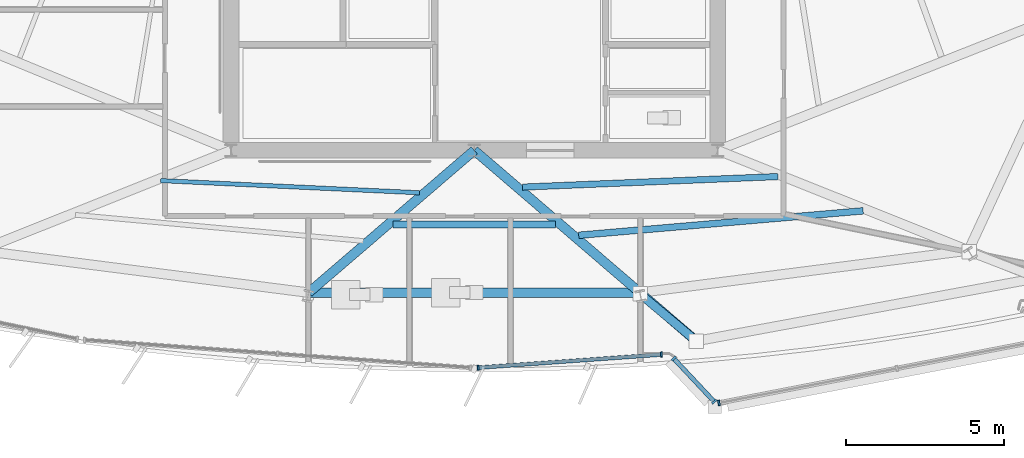
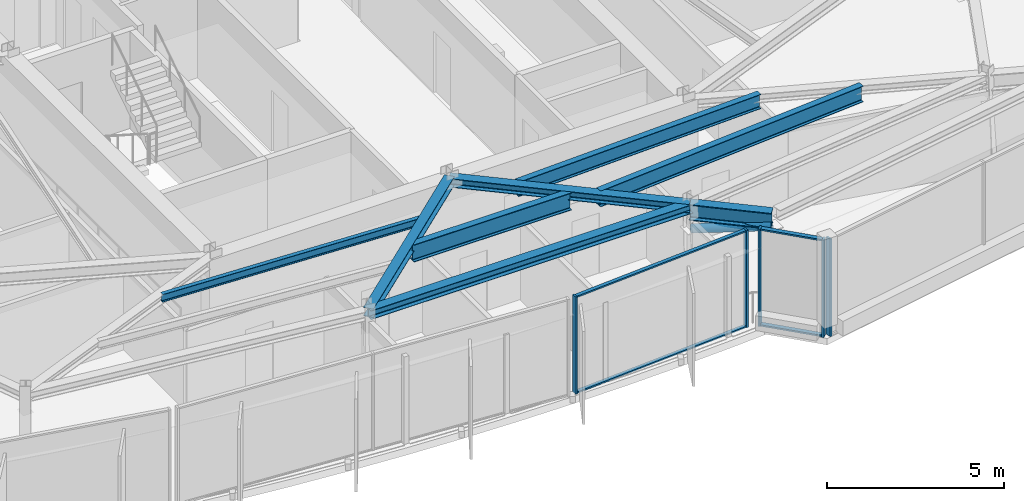
# One storey, part 3 of 12: 10 members, 8 beams, 3 elements without a shape of their own.
"""IFC4 building model written with IfcOpenShell, lengths in metres."""

from ifc_helpers import new_model, si_unit, direction, frame, origin, origin_2d, place, context, subcontext, project, spatial, rectangle, hollow_circle, i_section, extrude, material, material_profile, profile_set, type_object, element, aggregate, save


model = new_model("IFC4")

# Units and contexts
model_context = context("Model", 3, precision=1e-05, world=origin(), true_north=direction((0.0, 1.0)))
body_context = subcontext(model_context, "Body", "Model", "MODEL_VIEW")
ifc_project = project(units=[si_unit("LENGTHUNIT", "METRE"), si_unit("AREAUNIT", "SQUARE_METRE"), si_unit("VOLUMEUNIT", "CUBIC_METRE"), si_unit("PLANEANGLEUNIT", "RADIAN"), si_unit("MASSUNIT", "GRAM", prefix="KILO")], contexts=[model_context])

# Site, building, storey
site_placement = place(None, origin())
site = spatial("IfcSite", under=ifc_project, at=site_placement, CompositionType="ELEMENT")
building_placement = place(site_placement, origin())
building = spatial("IfcBuilding", under=site, at=building_placement, Name="Savorim Split Tower", CompositionType="ELEMENT")
storey_placement = place(building_placement, frame((0.0, 0.0, 261.60009765625)))
storey = spatial("IfcBuildingStorey", under=building, at=storey_placement, Name="L69", CompositionType="ELEMENT", Elevation=261.60009765625)

# Beams
ifc_material_1 = material(Name="Steel S355", Category="steel")
ifc_material_profile_1 = material_profile(ifc_material_1, i_section(OverallWidth=0.135009765625, OverallDepth=0.27001953125, WebThickness=0.006591796875, FlangeThickness=0.01025390625, FilletRadius=0.014892578125, at=origin_2d()), Name="IPE 270")
ifc_profile_set_1 = profile_set([ifc_material_profile_1], Name="Steel S355")
beam_type_1 = type_object("IfcBeamType", Name="BM-JST-IPE270", PredefinedType="JOIST", material=ifc_profile_set_1)
beam_1_placement = place(storey_placement, frame((-9.919677734375, -10.357666015625, 3.21484375), z_axis=(0.998894996958, -0.046997713265, 0.0), x_axis=(0.046997713265, 0.998894996958, 0.0)))
element("IfcBeam", 1, at=beam_1_placement, inside=storey, type_object=beam_type_1, Name="L69 Secondary Floor Joist JS-02", PredefinedType="JOIST", context=body_context, shape_type="SweptSolid", body=[
    extrude(i_section(OverallWidth=0.135009765625, OverallDepth=0.27001953125, WebThickness=0.006591796875, FlangeThickness=0.01025390625, FilletRadius=0.014892578125, at=origin_2d()), origin(), (0.0, 0.0, 1.0), 8.197265625),
])
ifc_material_profile_2 = material_profile(ifc_material_1, i_section(OverallWidth=0.199951171875, OverallDepth=0.5, WebThickness=0.01025390625, FlangeThickness=0.01611328125, FilletRadius=0.02099609375, at=origin_2d()), Name="IPE 500")
ifc_profile_set_2 = profile_set([ifc_material_profile_2], Name="Steel S355")
beam_type_2 = type_object("IfcBeamType", Name="BM-JST-IPE500", PredefinedType="JOIST", material=ifc_profile_set_2)
beam_2_placement = place(storey_placement, frame((1.52197265625, -10.56396484375, 3.099853515625), z_axis=(0.999146882391, 0.04129778938, 0.0), x_axis=(-0.04129778938, 0.999146882391, 0.0)))
element("IfcBeam", 2, at=beam_2_placement, inside=storey, type_object=beam_type_2, Name="L69 Secondary Floor Joist JS-05", PredefinedType="JOIST", context=body_context, shape_type="SweptSolid", body=[
    extrude(i_section(OverallWidth=0.199951171875, OverallDepth=0.5, WebThickness=0.01025390625, FlangeThickness=0.01611328125, FilletRadius=0.02099609375, at=origin_2d()), origin(), (0.0, 0.0, 1.0), 8.087158203125),
])
ifc_material_profile_3 = material_profile(ifc_material_1, i_section(OverallWidth=0.2099609375, OverallDepth=0.550048828125, WebThickness=0.010986328125, FlangeThickness=0.01708984375, FilletRadius=0.02392578125, at=origin_2d()), Name="IPE 550")
ifc_profile_set_3 = profile_set([ifc_material_profile_3], Name="Steel S355")
beam_type_3 = type_object("IfcBeamType", Name="BM-JST-IPE550", PredefinedType="JOIST", material=ifc_profile_set_3)
beam_3_placement = place(storey_placement, frame((3.302734375, -12.08740234375, 3.074951171875), z_axis=(0.996327430929, 0.085625056952, 0.0), x_axis=(-0.085625056952, 0.996327430929, 0.0)))
element("IfcBeam", 3, at=beam_3_placement, inside=storey, type_object=beam_type_3, Name="L69 Secondary Floor Joist JS-04", PredefinedType="JOIST", context=body_context, shape_type="SweptSolid", body=[
    extrude(i_section(OverallWidth=0.2099609375, OverallDepth=0.550048828125, WebThickness=0.010986328125, FlangeThickness=0.01708984375, FilletRadius=0.02392578125, at=origin_2d()), origin(), (0.0, 0.0, 1.0), 9.030029296875),
])
ifc_material_profile_4 = material_profile(ifc_material_1, i_section(OverallWidth=0.219970703125, OverallDepth=0.60009765625, WebThickness=0.011962890625, FlangeThickness=0.01904296875, FilletRadius=0.02392578125, at=origin_2d()), Name="IPE 600")
ifc_profile_set_4 = profile_set([ifc_material_profile_4], Name="Steel S355")
beam_type_4 = type_object("IfcBeamType", Name="BM-JST-IPE600", PredefinedType="JOIST", material=ifc_profile_set_4)
beam_4_placement = place(storey_placement, frame((-2.564208984375, -11.740966796875, 3.0498046875), z_axis=(1.0, 0.0, 0.0), x_axis=(0.0, 1.0, 0.0)))
element("IfcBeam", 4, at=beam_4_placement, inside=storey, type_object=beam_type_4, Name="L69 Secondary Floor Joist JS-03", PredefinedType="JOIST", context=body_context, shape_type="SweptSolid", body=[
    extrude(i_section(OverallWidth=0.219970703125, OverallDepth=0.60009765625, WebThickness=0.011962890625, FlangeThickness=0.01904296875, FilletRadius=0.02392578125, at=origin_2d()), origin(), (0.0, 0.0, 1.0), 5.12841796875),
])
ifc_material_profile_5 = material_profile(ifc_material_1, i_section(OverallWidth=0.300048828125, OverallDepth=0.300048828125, WebThickness=0.010986328125, FlangeThickness=0.01904296875, FilletRadius=0.027099609375, at=origin_2d()), Name="HEB 300")
ifc_profile_set_5 = profile_set([ifc_material_profile_5], Name="Steel S355")
beam_type_5 = type_object("IfcBeamType", Name="BM-PRI-HEB300", PredefinedType="BEAM", material=ifc_profile_set_5)
for number, where, z_axis, x_axis, name in (
    (5, (-5.239013671875, -13.90185546875, 3.199951171875), (0.758442686141, 0.651739742413, 0.0), (-0.651739742413, 0.758442686141, 0.0), "L69 Primary Floor Girder RG-02"),
    (6, (5.239013671875, -13.90185546875, 3.199951171875), (-0.758442686141, 0.651739742413, 0.0), (-0.651739742413, -0.758442686141, 0.0), "L69 Primary Floor Girder RG-03"),
):
    element("IfcBeam", number, at=place(storey_placement, frame(where, z_axis=z_axis, x_axis=x_axis)), inside=storey, type_object=beam_type_5, Name=name, PredefinedType="BEAM", context=body_context, shape_type="SweptSolid", body=[
        extrude(i_section(OverallWidth=0.300048828125, OverallDepth=0.300048828125, WebThickness=0.010986328125, FlangeThickness=0.01904296875, FilletRadius=0.027099609375, at=origin_2d()), origin(), (0.0, 0.0, 1.0), 6.90771484375),
    ])
ifc_material_profile_6 = material_profile(ifc_material_1, i_section(OverallWidth=0.300048828125, OverallDepth=0.550048828125, WebThickness=0.014892578125, FlangeThickness=0.029052734375, FilletRadius=0.027099609375, at=origin_2d()), Name="HEB 550")
ifc_profile_set_6 = profile_set([ifc_material_profile_6], Name="Steel S355")
beam_type_6 = type_object("IfcBeamType", Name="BM-PRI-HEB550", PredefinedType="BEAM", material=ifc_profile_set_6)
beam_5_placement = place(storey_placement, frame((5.239013671875, -13.90185546875, 3.074951171875), z_axis=(0.758441951414, -0.651740597427, 0.0), x_axis=(0.651740597427, 0.758441951414, 0.0)))
element("IfcBeam", 7, at=beam_5_placement, inside=storey, type_object=beam_type_6, Name="L69 Cantilevered Lounge Rib 1", PredefinedType="BEAM", context=body_context, shape_type="SweptSolid", body=[
    extrude(i_section(OverallWidth=0.300048828125, OverallDepth=0.550048828125, WebThickness=0.014892578125, FlangeThickness=0.029052734375, FilletRadius=0.027099609375, at=origin_2d()), origin(), (0.0, 0.0, 1.0), 2.349853515625),
])
ifc_material_profile_7 = material_profile(ifc_material_1, i_section(OverallWidth=0.300048828125, OverallDepth=0.31005859375, WebThickness=0.009033203125, FlangeThickness=0.015380859375, FilletRadius=0.027099609375, at=origin_2d()), Name="HEA 320")
ifc_profile_set_7 = profile_set([ifc_material_profile_7], Name="Steel S355")
beam_type_7 = type_object("IfcBeamType", Name="BM-SPN-HEA320", PredefinedType="SPANDREL", material=ifc_profile_set_7)
beam_6_placement = place(storey_placement, frame((-5.239013671875, -13.90185546875, 3.19482421875), z_axis=(1.0, 0.0, 0.0), x_axis=(0.0, 1.0, 0.0)))
element("IfcBeam", 8, at=beam_6_placement, inside=storey, type_object=beam_type_7, Name="L69 Perimeter Spandrel Beam 2", PredefinedType="SPANDREL", context=body_context, shape_type="SweptSolid", body=[
    extrude(i_section(OverallWidth=0.300048828125, OverallDepth=0.31005859375, WebThickness=0.009033203125, FlangeThickness=0.015380859375, FilletRadius=0.027099609375, at=origin_2d()), origin(), (0.0, 0.0, 1.0), 10.47802734375),
])

# Curtain wall, members
ifc_material_2 = material(Name="Dark Ceramic-Fritted Insulated Glass", Category="glass")
curtain_wall_type_1 = type_object("IfcCurtainWallType", Name="CW-TWR-FRIT-B", PredefinedType="NOTDEFINED", material=ifc_material_2)
curtain_wall_1_placement = place(storey_placement, origin())
curtain_wall_1 = element("IfcCurtainWall", 9, at=curtain_wall_1_placement, inside=storey, type_object=curtain_wall_type_1, Name="L69 Curtain Wall CW-L69-SF3A", PredefinedType="NOTDEFINED")
ifc_material_3 = material(Name="Charcoal Anodised Aluminium", Category="aluminium")
ifc_material_profile_8 = material_profile(ifc_material_3, rectangle(XDim=0.159912109375, YDim=0.06005859375, at=origin_2d()), Name="ALU-M 160x60")
ifc_profile_set_8 = profile_set([ifc_material_profile_8], Name="Charcoal Anodised Aluminium")
member_type_1 = type_object("IfcMemberType", Name="CWM-160x60", PredefinedType="MULLION", material=ifc_profile_set_8)
member_1_placement = place(storey_placement, frame((0.12109375, -16.274169921875, 0.0), z_axis=(0.0, 0.0, 1.0), x_axis=(-0.071571445854, 0.997435475677, 0.0)))
member_1 = element("IfcMember", 10, at=member_1_placement, type_object=member_type_1, Name="CW-03 mullion 1", PredefinedType="MULLION", context=body_context, shape_type="SweptSolid", body=[
    extrude(rectangle(XDim=0.159912109375, YDim=0.06005859375, at=origin_2d()), origin(), (0.0, 0.0, 1.0), 3.349853515625),
])
member_2_placement = place(storey_placement, frame((5.917236328125, -15.8583984375, 0.0), z_axis=(0.0, 0.0, 1.0), x_axis=(-0.071571445854, 0.997435475677, 0.0)))
member_2 = element("IfcMember", 11, at=member_2_placement, type_object=member_type_1, Name="CW-03 mullion 2", PredefinedType="MULLION", context=body_context, shape_type="SweptSolid", body=[
    extrude(rectangle(XDim=0.159912109375, YDim=0.06005859375, at=origin_2d()), origin(), (0.0, 0.0, 1.0), 3.349853515625),
])

# Curtain wall, member
curtain_wall_type_2 = type_object("IfcCurtainWallType", Name="CW-BAY-LOUNGE", PredefinedType="NOTDEFINED", material=ifc_material_2)
curtain_wall_2_placement = place(storey_placement, origin())
curtain_wall_2 = element("IfcCurtainWall", 12, at=curtain_wall_2_placement, inside=storey, type_object=curtain_wall_type_2, Name="L69 Curtain Wall CW-L69-BAYF", PredefinedType="NOTDEFINED")
ifc_material_profile_9 = material_profile(ifc_material_3, rectangle(XDim=0.179931640625, YDim=0.06494140625, at=origin_2d()), Name="ALU-M 180x65")
ifc_profile_set_9 = profile_set([ifc_material_profile_9], Name="Charcoal Anodised Aluminium")
member_type_2 = type_object("IfcMemberType", Name="CWM-180x65", PredefinedType="MULLION", material=ifc_profile_set_9)
member_3_placement = place(storey_placement, frame((7.738525390625, -17.39013671875, 0.0), z_axis=(0.0, 0.0, 1.0), x_axis=(-0.190519987082, 0.98168331682, 0.0)))
member_3 = element("IfcMember", 13, at=member_3_placement, type_object=member_type_2, Name="CW-04 mullion 1", PredefinedType="MULLION", context=body_context, shape_type="SweptSolid", body=[
    extrude(rectangle(XDim=0.179931640625, YDim=0.06494140625, at=origin_2d()), origin(), (0.0, 0.0, 1.0), 3.349853515625),
])
aggregate(curtain_wall_2, [member_3])

# Curtain wall, members
curtain_wall_3_placement = place(storey_placement, origin())
curtain_wall_3 = element("IfcCurtainWall", 14, at=curtain_wall_3_placement, inside=storey, type_object=curtain_wall_type_2, Name="L69 Curtain Wall CW-L69-BAYW", PredefinedType="NOTDEFINED")
member_4_placement = place(storey_placement, frame((6.307861328125, -15.984130859375, 0.0), z_axis=(0.0, 0.0, 1.0), x_axis=(0.729622392738, 0.6838502497, 0.0)))
member_4 = element("IfcMember", 15, at=member_4_placement, type_object=member_type_2, Name="CW-04 mullion 1", PredefinedType="MULLION", context=body_context, shape_type="SweptSolid", body=[
    extrude(rectangle(XDim=0.179931640625, YDim=0.06494140625, at=origin_2d()), origin(), (0.0, 0.0, 1.0), 3.349853515625),
])
member_5_placement = place(storey_placement, frame((7.590087890625, -17.352294921875, 0.0), z_axis=(0.0, 0.0, 1.0), x_axis=(0.729622392738, 0.6838502497, 0.0)))
member_5 = element("IfcMember", 16, at=member_5_placement, type_object=member_type_2, Name="CW-04 mullion 2", PredefinedType="MULLION", context=body_context, shape_type="SweptSolid", body=[
    extrude(rectangle(XDim=0.179931640625, YDim=0.06494140625, at=origin_2d()), origin(), (0.0, 0.0, 1.0), 3.349853515625),
])

# Member
ifc_material_profile_10 = material_profile(ifc_material_3, rectangle(XDim=0.1201171875, YDim=0.050048828125, at=origin_2d()), Name="ALU-T 120x50")
ifc_profile_set_10 = profile_set([ifc_material_profile_10], Name="Charcoal Anodised Aluminium")
member_type_3 = type_object("IfcMemberType", Name="CWT-120x50", PredefinedType="USERDEFINED", material=ifc_profile_set_10)
member_6_placement = place(storey_placement, frame((0.151123046875, -16.272216796875, 0.02490234375), z_axis=(0.997435373831, 0.07157286518, 0.0), x_axis=(-0.07157286518, 0.997435373831, 0.0)))
member_6 = element("IfcMember", 17, at=member_6_placement, type_object=member_type_3, Name="CW-03 transom 1.1", ObjectType="TRANSOM", PredefinedType="USERDEFINED", context=body_context, shape_type="SweptSolid", body=[
    extrude(rectangle(XDim=0.1201171875, YDim=0.050048828125, at=origin_2d()), origin(), (0.0, 0.0, 1.0), 5.7509765625),
])

member_7_placement = place(storey_placement, frame((0.151123046875, -16.272216796875, 3.324951171875), z_axis=(0.997435373831, 0.07157286518, 0.0), x_axis=(-0.07157286518, 0.997435373831, 0.0)))
member_7 = element("IfcMember", 18, at=member_7_placement, type_object=member_type_3, Name="CW-03 transom 1.2", ObjectType="TRANSOM", PredefinedType="USERDEFINED", context=body_context, shape_type="SweptSolid", body=[
    extrude(rectangle(XDim=0.1201171875, YDim=0.050048828125, at=origin_2d()), origin(), (0.0, 0.0, 1.0), 5.7509765625),
])

aggregate(curtain_wall_1, [member_1, member_2, member_6, member_7])

ifc_material_profile_11 = material_profile(ifc_material_3, rectangle(XDim=0.139892578125, YDim=0.054931640625, at=origin_2d()), Name="ALU-T 140x55")
ifc_profile_set_11 = profile_set([ifc_material_profile_11], Name="Charcoal Anodised Aluminium")
member_type_4 = type_object("IfcMemberType", Name="CWT-140x55", PredefinedType="USERDEFINED", material=ifc_profile_set_11)
member_8_placement = place(storey_placement, frame((6.330078125, -16.0078125, 0.02734375), z_axis=(0.683806524561, -0.729663372362, 0.0), x_axis=(0.729663372362, 0.683806524561, 0.0)))
member_8 = element("IfcMember", 19, at=member_8_placement, type_object=member_type_4, Name="CW-04 transom 1.1", ObjectType="TRANSOM", PredefinedType="USERDEFINED", context=body_context, shape_type="SweptSolid", body=[
    extrude(rectangle(XDim=0.139892578125, YDim=0.054931640625, at=origin_2d()), origin(), (0.0, 0.0, 1.0), 1.81005859375),
])

member_9_placement = place(storey_placement, frame((6.330078125, -16.0078125, 3.322509765625), z_axis=(0.683806524561, -0.729663372362, 0.0), x_axis=(0.729663372362, 0.683806524561, 0.0)))
member_9 = element("IfcMember", 20, at=member_9_placement, type_object=member_type_4, Name="CW-04 transom 1.2", ObjectType="TRANSOM", PredefinedType="USERDEFINED", context=body_context, shape_type="SweptSolid", body=[
    extrude(rectangle(XDim=0.139892578125, YDim=0.054931640625, at=origin_2d()), origin(), (0.0, 0.0, 1.0), 1.81005859375),
])

aggregate(curtain_wall_3, [member_4, member_5, member_8, member_9])

ifc_material_profile_12 = material_profile(ifc_material_1, hollow_circle(Radius=0.136474609375, WallThickness=0.01611328125, at=origin_2d()), Name="CHS 273x16")
ifc_profile_set_12 = profile_set([ifc_material_profile_12], Name="Steel S355")
member_type_5 = type_object("IfcMemberType", Name="MBR-CRN-CHS273", PredefinedType="BRACE", material=ifc_profile_set_12)
member_10_placement = place(storey_placement, frame((5.246826171875, -13.942138671875, 2.449951171875), z_axis=(0.755990197796, -0.635331332986, 0.157584638093), x_axis=(0.643369928556, 0.765555442166, 0.0)))
element("IfcMember", 21, at=member_10_placement, inside=storey, type_object=member_type_5, Name="L69 Cantilevered Bay Support Strut 1", PredefinedType="BRACE", context=body_context, shape_type="SweptSolid", body=[
    extrude(hollow_circle(Radius=0.136474609375, WallThickness=0.01611328125, at=origin_2d()), origin(), (0.0, 0.0, 1.0), 2.34716796875),
])

save(model, "model.ifc")
